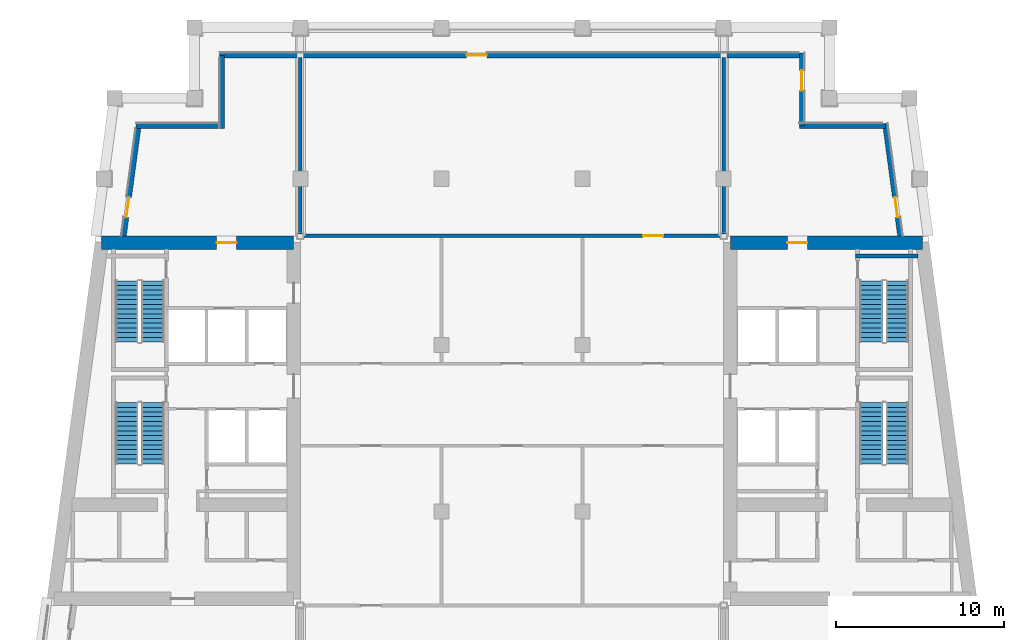
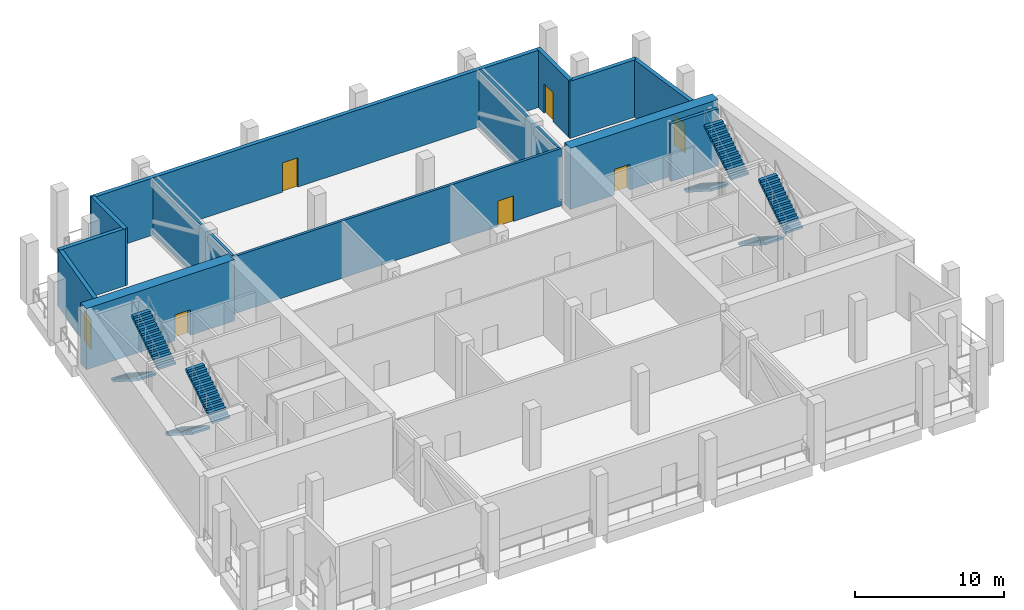
# One storey, part 7 of 11: 13 walls, 8 stair flights, 7 doors, 7 openings, 4 elements without a shape of their own.
"""IFC4 building model written with IfcOpenShell, lengths in metres."""

import ifcopenshell
import ifcopenshell.guid

model = None  # the IFC model being written
_history = None  # IfcOwnerHistory: only IFC2X3 demands one
_inside = {}  # id of a spatial element -> (the spatial element, [elements in it])
_under = {}  # id of a project, library or spatial element -> (it, [spatial elements below it])
_declared = {}  # id of a project -> (the project, [libraries it declares])
_typed = {}  # id of a type object -> (the type object, [elements of that type])
_made_of = {}  # id of a material, layer set ... -> (it, [elements and type objects made of it])


def new_model(schema):
    """Start an empty IFC model of exactly this schema.

    Asked for "IFC4X3", IfcOpenShell would pick the latest addendum, in which some entities
    have other attributes; the version numbers below select the first issue.
    IFC2X3 requires an IfcOwnerHistory on every rooted entity: one is made here for all.
    """
    global model, _history
    if schema == "IFC4X3":
        model = ifcopenshell.file(schema_version=(4, 3, 0, 0))
    else:
        model = ifcopenshell.file(schema=schema)
    _inside.clear()
    _under.clear()
    _declared.clear()
    _typed.clear()
    _made_of.clear()
    _history = None
    if model.schema == "IFC2X3":
        org = make("IfcOrganization", Name="unknown")
        user = make(
            "IfcPersonAndOrganization",
            ThePerson=make("IfcPerson", FamilyName="unknown"),
            TheOrganization=org,
        )
        app = make(
            "IfcApplication",
            ApplicationDeveloper=org,
            Version="unknown",
            ApplicationFullName="unknown",
            ApplicationIdentifier="unknown",
        )
        _history = make(
            "IfcOwnerHistory",
            OwningUser=user,
            OwningApplication=app,
            ChangeAction="ADDED",
            CreationDate=0,
        )
    return model


def make(cls, **values):
    """One entity of the class cls with the attributes given. An attribute that is None is left unset."""
    return model.create_entity(
        cls, **{name: value for name, value in values.items() if value is not None}
    )


def rooted(cls, **values):
    """An entity with a GlobalId (a new one), such as an element, a storey or a relation."""
    return make(cls, GlobalId=ifcopenshell.guid.new(), OwnerHistory=_history, **values)


def si_unit(unit_type, name, prefix=None):
    """IfcSIUnit, for example si_unit("LENGTHUNIT", "METRE", prefix="MILLI")."""
    return make("IfcSIUnit", UnitType=unit_type, Prefix=prefix, Name=name)


def assignment(units):
    """IfcUnitAssignment: the units of a project."""
    return None if units is None else make("IfcUnitAssignment", Units=units)


def point(xyz):
    """IfcCartesianPoint."""
    return None if xyz is None else make("IfcCartesianPoint", Coordinates=xyz)


def direction(xyz):
    """IfcDirection."""
    return None if xyz is None else make("IfcDirection", DirectionRatios=xyz)


def frame(location, z_axis=None, x_axis=None):
    """IfcAxis2Placement3D, a coordinate frame: its origin and axes. An axis left out is left unset."""
    return make(
        "IfcAxis2Placement3D",
        Location=point(location),
        Axis=direction(z_axis),
        RefDirection=direction(x_axis),
    )


def frame_2d(location, x_axis=None):
    """IfcAxis2Placement2D, a coordinate frame in the plane: its origin and x axis."""
    return make(
        "IfcAxis2Placement2D", Location=point(location), RefDirection=direction(x_axis)
    )


def origin():
    """The frame at (0, 0, 0) with its axes left unset."""
    return frame((0.0, 0.0, 0.0))


def place(relative_to, where):
    """IfcLocalPlacement: puts the frame where relative to a parent placement (None: the world)."""
    return make(
        "IfcLocalPlacement", PlacementRelTo=relative_to, RelativePlacement=where
    )


def context(
    kind, dimensions, precision=None, world=None, true_north=None, identifier=None
):
    """IfcGeometricRepresentationContext, for example the 3D "Model" context."""
    return make(
        "IfcGeometricRepresentationContext",
        ContextIdentifier=identifier,
        ContextType=kind,
        CoordinateSpaceDimension=dimensions,
        Precision=precision,
        WorldCoordinateSystem=world,
        TrueNorth=true_north,
    )


def subcontext(parent, identifier, kind, view, scale=None):
    """IfcGeometricRepresentationSubContext, for example "Body" below "Model"."""
    return make(
        "IfcGeometricRepresentationSubContext",
        ContextIdentifier=identifier,
        ContextType=kind,
        ParentContext=parent,
        TargetScale=scale,
        TargetView=view,
    )


def project(units=None, contexts=None):
    """IfcProject with its units and contexts."""
    return rooted(
        "IfcProject",
        Name="project",
        RepresentationContexts=contexts,
        UnitsInContext=assignment(units),
    )


def spatial(cls, under=None, at=None, **own):
    """A site, building, storey or space (cls), placed at a placement, below another one or the project."""
    s = rooted(cls, ObjectPlacement=at, **own)
    if under is not None:
        _under.setdefault(under.id(), (under, []))[1].append(s)
    return s


def polyline(points):
    """IfcPolyline through the points."""
    return make("IfcPolyline", Points=[point(p) for p in points])


def profile(cls, at=None, kind="AREA", **sizes):
    """A parametric profile (cls). Its sizes go by their IFC names, for example OverallWidth=200.0."""
    return make(cls, ProfileType=kind, Position=at, **sizes)


def rectangle(**sizes):
    """IfcRectangleProfileDef."""
    return profile("IfcRectangleProfileDef", **sizes)


def outline(outer, holes=None, kind="AREA"):
    """IfcArbitraryClosedProfileDef: a profile drawn as a closed curve; with holes, ...WithVoids."""
    if holes is None:
        return make("IfcArbitraryClosedProfileDef", ProfileType=kind, OuterCurve=outer)
    return make(
        "IfcArbitraryProfileDefWithVoids",
        ProfileType=kind,
        OuterCurve=outer,
        InnerCurves=holes,
    )


def extrude(swept, where, along, depth):
    """IfcExtrudedAreaSolid: the profile swept, set in the frame where, extruded along a direction by depth."""
    return make(
        "IfcExtrudedAreaSolid",
        SweptArea=swept,
        Position=where,
        ExtrudedDirection=direction(along),
        Depth=depth,
    )


def shape(context_of_items, identifier, shape_type, items):
    """IfcShapeRepresentation: the items that make up one representation, for example the "Body"."""
    return make(
        "IfcShapeRepresentation",
        ContextOfItems=context_of_items,
        RepresentationIdentifier=identifier,
        RepresentationType=shape_type,
        Items=items,
    )


def material(Name=None, Category=None):
    """IfcMaterial."""
    return make("IfcMaterial", Name=Name, Category=Category)


def layer(
    of_material, thickness, ventilated=None, Name=None, Category=None, Priority=None
):
    """IfcMaterialLayer: one layer of a wall or slab, of a material (None: an air gap)."""
    return make(
        "IfcMaterialLayer",
        Material=of_material,
        LayerThickness=thickness,
        IsVentilated=ventilated,
        Name=Name,
        Category=Category,
        Priority=Priority,
    )


def layer_set(layers, Name=None):
    """IfcMaterialLayerSet."""
    return make("IfcMaterialLayerSet", MaterialLayers=layers, LayerSetName=Name)


def made_of(thing, what):
    """Note that an element or type object is made of a material, layer set ...; save() writes the relation."""
    if what is not None:
        _made_of.setdefault(what.id(), (what, []))[1].append(thing)
    return thing


def type_object(cls, material=None, **own):
    """A type object (cls), such as IfcWallType, which elements share."""
    return made_of(rooted(cls, **own), material)


def element(
    cls,
    number,
    at=None,
    inside=None,
    cuts=None,
    type_object=None,
    material=None,
    context=None,
    identifier="Body",
    shape_type=None,
    held_by="IfcProductDefinitionShape",
    body=None,
    shapes=None,
    **own,
):
    """One element of the class cls, such as IfcWall. Its Tag is "e" and its number.

    at: its placement. inside: the storey or other place that contains it. cuts: it is an
    opening in that element (IfcRelVoidsElement). A single representation is given by context,
    identifier, shape_type and body (its items); several are given by shapes. held_by: the class
    of the entity that holds the representations. save() writes the other relations.
    """
    e = rooted(cls, Tag="e%d" % number, ObjectPlacement=at, **own)
    if body is not None:
        shapes = [shape(context, identifier, shape_type, body)]
    if shapes is not None:
        e.Representation = make(held_by, Representations=shapes)
    if inside is not None:
        _inside.setdefault(inside.id(), (inside, []))[1].append(e)
    if cuts is not None:
        rooted(
            "IfcRelVoidsElement", RelatingBuildingElement=cuts, RelatedOpeningElement=e
        )
    if type_object is not None:
        _typed.setdefault(type_object.id(), (type_object, []))[1].append(e)
    return made_of(e, material)


def fill(opening, filler):
    """IfcRelFillsElement: the door or window that sits in an opening."""
    return rooted(
        "IfcRelFillsElement",
        RelatingOpeningElement=opening,
        RelatedBuildingElement=filler,
    )


def aggregate(whole, parts):
    """IfcRelAggregates: a whole, such as a stair, and the parts it consists of."""
    return rooted("IfcRelAggregates", RelatingObject=whole, RelatedObjects=parts)


def save(model, path):
    """Write the relations noted so far, then the file.

    IfcRelAggregates (storeys below a building ...), IfcRelContainedInSpatialStructure (elements
    in a storey), IfcRelDefinesByType, IfcRelAssociatesMaterial and IfcRelDeclares: one each for
    every whole, place, type object, material and project.
    """
    for whole, parts in _under.values():
        aggregate(whole, parts)
    for where, things in _inside.values():
        rooted(
            "IfcRelContainedInSpatialStructure",
            RelatedElements=things,
            RelatingStructure=where,
        )
    for kind, things in _typed.values():
        rooted("IfcRelDefinesByType", RelatedObjects=things, RelatingType=kind)
    for what, things in _made_of.values():
        rooted("IfcRelAssociatesMaterial", RelatedObjects=things, RelatingMaterial=what)
    for by, libraries in _declared.values():
        rooted("IfcRelDeclares", RelatingContext=by, RelatedDefinitions=libraries)
    model.write(path)


model = new_model("IFC4")

# Units and contexts
model_context = context("Model", 3, precision=1e-05, world=origin(), true_north=direction((0.0, 1.0)))
body_context = subcontext(model_context, "Body", "Model", "MODEL_VIEW")
ifc_project = project(units=[si_unit("LENGTHUNIT", "METRE"), si_unit("AREAUNIT", "SQUARE_METRE"), si_unit("VOLUMEUNIT", "CUBIC_METRE"), si_unit("PLANEANGLEUNIT", "RADIAN"), si_unit("MASSUNIT", "GRAM", prefix="KILO")], contexts=[model_context])

# Site, building, storey
site_placement = place(None, origin())
site = spatial("IfcSite", under=ifc_project, at=site_placement, CompositionType="ELEMENT")
building_placement = place(site_placement, origin())
building = spatial("IfcBuilding", under=site, at=building_placement, Name="Candeia Pilgrim Tower and Theatre", CompositionType="ELEMENT")
storey_placement = place(building_placement, frame((0.0, 0.0, 254.0)))
storey = spatial("IfcBuildingStorey", under=building, at=storey_placement, Name="L61", CompositionType="ELEMENT", Elevation=254.0)

# Wall, opening, door
ifc_material_1 = material(Name="Concrete C50/60", Category="concrete")
ifc_layer_1 = layer(ifc_material_1, 0.800048828125)
ifc_layer_set_1 = layer_set([ifc_layer_1], Name="Core wall 800 C50/60")
wall_type_1 = type_object("IfcWallType", Name="Core wall 800 C50/60", PredefinedType="SHEAR", material=ifc_layer_set_1)
wall_1_placement = place(storey_placement, frame((88.98046875, 132.0, 0.0), z_axis=(0.0, 0.0, 1.0), x_axis=(1.0, 0.0, 0.0)))
wall_1 = element("IfcWall", 1, at=wall_1_placement, inside=storey, type_object=wall_type_1, Name="Core wall W1", PredefinedType="SHEAR", context=body_context, shape_type="SweptSolid", body=[
    extrude(rectangle(XDim=11.41943359375, YDim=0.800048828125, at=frame_2d((5.709716796875, 0.0))), origin(), (0.0, 0.0, 1.0), 5.0),
])
opening_1_placement = place(wall_1_placement, frame((6.8330078125, 0.0, 0.0)))
opening_1 = element("IfcOpeningElement", 2, at=opening_1_placement, cuts=wall_1, Name="Opening L61-D026", PredefinedType="OPENING", context=body_context, shape_type="SweptSolid", body=[
    extrude(rectangle(XDim=1.199951171875, YDim=2.10009765625, at=frame_2d((0.60009765625, 1.050048828125))), frame((0.0, 0.41015625, 0.0), z_axis=(0.0, -1.0, 0.0), x_axis=(1.0, 0.0, 0.0)), (0.0, 0.0, 1.0), 0.820068359375),
])
ifc_material_2 = material(Name="Steel fire door set", Category="steel")
door_type_1 = type_object("IfcDoorType", Name="D-1200-FD60", OperationType="NOTDEFINED", PredefinedType="DOOR", material=ifc_material_2)
door_1_placement = place(opening_1_placement, origin())
door_1 = element("IfcDoor", 3, at=door_1_placement, inside=storey, type_object=door_type_1, Name="Door L61-D026", OperationType="SINGLE_SWING_LEFT", OverallHeight=2.10009765625, OverallWidth=1.199951171875, PredefinedType="DOOR", context=body_context, shape_type="SweptSolid", body=[
    extrude(rectangle(XDim=1.199951171875, YDim=2.10009765625, at=frame_2d((0.60009765625, 1.050048828125))), frame((0.0, 0.02490234375, 0.0), z_axis=(0.0, -1.0, 0.0), x_axis=(1.0, 0.0, 0.0)), (0.0, 0.0, 1.0), 0.050048828125),
])
fill(opening_1, door_1)

wall_2_placement = place(storey_placement, frame((126.39990234375, 132.0, 0.0), z_axis=(0.0, 0.0, 1.0), x_axis=(1.0, 0.0, 0.0)))
wall_2 = element("IfcWall", 4, at=wall_2_placement, inside=storey, type_object=wall_type_1, Name="Core wall E1", PredefinedType="SHEAR", context=body_context, shape_type="SweptSolid", body=[
    extrude(rectangle(XDim=11.419677734375, YDim=0.800048828125, at=frame_2d((5.7099609375, 0.0))), origin(), (0.0, 0.0, 1.0), 5.0),
])
opening_2_placement = place(wall_2_placement, frame((3.386474609375, 0.0, 0.0)))
opening_2 = element("IfcOpeningElement", 5, at=opening_2_placement, cuts=wall_2, Name="Opening L61-D028", PredefinedType="OPENING", context=body_context, shape_type="SweptSolid", body=[
    extrude(rectangle(XDim=1.199951171875, YDim=2.10009765625, at=frame_2d((0.60009765625, 1.050048828125))), frame((0.0, 0.41015625, 0.0), z_axis=(0.0, -1.0, 0.0), x_axis=(1.0, 0.0, 0.0)), (0.0, 0.0, 1.0), 0.820068359375),
])
door_2_placement = place(opening_2_placement, origin())
door_2 = element("IfcDoor", 6, at=door_2_placement, inside=storey, type_object=door_type_1, Name="Door L61-D028", OperationType="SINGLE_SWING_LEFT", OverallHeight=2.10009765625, OverallWidth=1.199951171875, PredefinedType="DOOR", context=body_context, shape_type="SweptSolid", body=[
    extrude(rectangle(XDim=1.199951171875, YDim=2.10009765625, at=frame_2d((0.60009765625, 1.050048828125))), frame((0.0, 0.02490234375, 0.0), z_axis=(0.0, -1.0, 0.0), x_axis=(1.0, 0.0, 0.0)), (0.0, 0.0, 1.0), 0.050048828125),
])
fill(opening_2, door_2)

ifc_material_3 = material(Name="Ceramic block masonry", Category="masonry")
ifc_layer_2 = layer(ifc_material_3, 0.300048828125)
ifc_layer_set_2 = layer_set([ifc_layer_2], Name="EW1 glazing-line wall 300")
wall_type_2 = type_object("IfcWallType", Name="EW1 glazing-line wall 300", PredefinedType="SOLIDWALL", material=ifc_layer_set_2)
wall_3_placement = place(storey_placement, frame((136.50439453125, 132.39990234375, 0.0), z_axis=(0.0, 0.0, 1.0), x_axis=(-0.133399697462, 0.99106231929, 0.0)))
wall_3 = element("IfcWall", 7, at=wall_3_placement, inside=storey, type_object=wall_type_2, Name="External wall L61-3.1", PredefinedType="SOLIDWALL", context=body_context, shape_type="SweptSolid", body=[
    extrude(rectangle(XDim=6.740478515625, YDim=0.300048828125, at=frame_2d((3.3701171875, 0.0))), origin(), (0.0, 0.0, 1.0), 4.679931640625),
])
opening_3_placement = place(wall_3_placement, frame((1.115234375, 0.0, 0.0)))
opening_3 = element("IfcOpeningElement", 8, at=opening_3_placement, cuts=wall_3, Name="Opening L61-ED579", PredefinedType="OPENING", context=body_context, shape_type="SweptSolid", body=[
    extrude(rectangle(XDim=1.199951171875, YDim=2.39990234375, at=frame_2d((0.60009765625, 1.199951171875))), frame((0.0, 0.16015625, 0.0), z_axis=(0.0, -1.0, 0.0), x_axis=(1.0, 0.0, 0.0)), (0.0, 0.0, 1.0), 0.320068359375),
])
ifc_material_4 = material(Name="Aluminium framed glazed door", Category="aluminium")
door_type_2 = type_object("IfcDoorType", Name="Loggia door 1200x2400", OperationType="DOUBLE_DOOR_SINGLE_SWING", PredefinedType="DOOR", material=ifc_material_4)
door_3_placement = place(opening_3_placement, origin())
door_3 = element("IfcDoor", 9, at=door_3_placement, inside=storey, type_object=door_type_2, Name="Loggia door L61-ED579", OperationType="DOUBLE_DOOR_SINGLE_SWING", OverallHeight=2.39990234375, OverallWidth=1.199951171875, PredefinedType="DOOR", context=body_context, shape_type="SweptSolid", body=[
    extrude(rectangle(XDim=1.199951171875, YDim=2.39990234375, at=frame_2d((0.60009765625, 1.199951171875))), frame((0.0, 0.02490234375, 0.0), z_axis=(0.0, -1.0, 0.0), x_axis=(1.0, 0.0, 0.0)), (0.0, 0.0, 1.0), 0.050048828125),
])
fill(opening_3, door_3)

# Wall
wall_4_placement = place(storey_placement, frame((135.62255859375, 138.949951171875, 0.0), z_axis=(0.0, 0.0, 1.0), x_axis=(-1.0, 0.0, 0.0)))
element("IfcWall", 10, at=wall_4_placement, inside=storey, type_object=wall_type_2, Name="External wall L61-4.0", PredefinedType="SOLIDWALL", context=body_context, shape_type="SweptSolid", body=[
    extrude(rectangle(XDim=5.12255859375, YDim=0.300048828125, at=frame_2d((2.561279296875, 0.0))), origin(), (0.0, 0.0, 1.0), 4.679931640625),
])

# Wall, opening, door
wall_5_placement = place(storey_placement, frame((130.64990234375, 138.949951171875, 0.0), z_axis=(0.0, 0.0, 1.0), x_axis=(0.0, 1.0, 0.0)))
wall_5 = element("IfcWall", 11, at=wall_5_placement, inside=storey, type_object=wall_type_2, Name="External wall L61-5.0", PredefinedType="SOLIDWALL", context=body_context, shape_type="SweptSolid", body=[
    extrude(rectangle(XDim=4.35009765625, YDim=0.300048828125, at=frame_2d((2.175048828125, 0.0))), origin(), (0.0, 0.0, 1.0), 4.679931640625),
])
opening_4_placement = place(wall_5_placement, frame((2.10009765625, 0.0, 0.0)))
opening_4 = element("IfcOpeningElement", 12, at=opening_4_placement, cuts=wall_5, Name="Opening L61-ED580", PredefinedType="OPENING", context=body_context, shape_type="SweptSolid", body=[
    extrude(rectangle(XDim=1.199951171875, YDim=2.39990234375, at=frame_2d((0.60009765625, 1.199951171875))), frame((0.0, 0.16015625, 0.0), z_axis=(0.0, -1.0, 0.0), x_axis=(1.0, 0.0, 0.0)), (0.0, 0.0, 1.0), 0.320068359375),
])
door_4_placement = place(opening_4_placement, origin())
door_4 = element("IfcDoor", 13, at=door_4_placement, inside=storey, type_object=door_type_2, Name="Loggia door L61-ED580", OperationType="DOUBLE_DOOR_SINGLE_SWING", OverallHeight=2.39990234375, OverallWidth=1.199951171875, PredefinedType="DOOR", context=body_context, shape_type="SweptSolid", body=[
    extrude(rectangle(XDim=1.199951171875, YDim=2.39990234375, at=frame_2d((0.60009765625, 1.199951171875))), frame((0.0, 0.02490234375, 0.0), z_axis=(0.0, -1.0, 0.0), x_axis=(1.0, 0.0, 0.0)), (0.0, 0.0, 1.0), 0.050048828125),
])
fill(opening_4, door_4)

wall_6_placement = place(storey_placement, frame((130.64990234375, 143.14990234375, 0.0), z_axis=(0.0, 0.0, 1.0), x_axis=(-1.0, 0.0, 0.0)))
wall_6 = element("IfcWall", 14, at=wall_6_placement, inside=storey, type_object=wall_type_2, Name="External wall L61-6.0", PredefinedType="SOLIDWALL", context=body_context, shape_type="SweptSolid", body=[
    extrude(rectangle(XDim=34.64990234375, YDim=0.300048828125, at=frame_2d((17.324951171875, 0.0))), origin(), (0.0, 0.0, 1.0), 4.679931640625),
])
opening_5_placement = place(wall_6_placement, frame((18.75, 0.0, 0.0)))
opening_5 = element("IfcOpeningElement", 15, at=opening_5_placement, cuts=wall_6, Name="Opening L61-ED581", PredefinedType="OPENING", context=body_context, shape_type="SweptSolid", body=[
    extrude(rectangle(XDim=1.199951171875, YDim=2.39990234375, at=frame_2d((0.60009765625, 1.199951171875))), frame((0.0, 0.16015625, 0.0), z_axis=(0.0, -1.0, 0.0), x_axis=(1.0, 0.0, 0.0)), (0.0, 0.0, 1.0), 0.320068359375),
])
door_5_placement = place(opening_5_placement, origin())
door_5 = element("IfcDoor", 16, at=door_5_placement, inside=storey, type_object=door_type_2, Name="Loggia door L61-ED581", OperationType="DOUBLE_DOOR_SINGLE_SWING", OverallHeight=2.39990234375, OverallWidth=1.199951171875, PredefinedType="DOOR", context=body_context, shape_type="SweptSolid", body=[
    extrude(rectangle(XDim=1.199951171875, YDim=2.39990234375, at=frame_2d((0.60009765625, 1.199951171875))), frame((0.0, 0.02490234375, 0.0), z_axis=(0.0, -1.0, 0.0), x_axis=(1.0, 0.0, 0.0)), (0.0, 0.0, 1.0), 0.050048828125),
])
fill(opening_5, door_5)

# Walls
wall_7_placement = place(storey_placement, frame((96.14990234375, 143.14990234375, 0.0), z_axis=(0.0, 0.0, 1.0), x_axis=(0.0, -1.0, 0.0)))
element("IfcWall", 17, at=wall_7_placement, inside=storey, type_object=wall_type_2, Name="External wall L61-7.0", PredefinedType="SOLIDWALL", context=body_context, shape_type="SweptSolid", body=[
    extrude(rectangle(XDim=4.349853515625, YDim=0.300048828125, at=frame_2d((2.1748046875, 0.0))), origin(), (0.0, 0.0, 1.0), 4.679931640625),
])
wall_8_placement = place(storey_placement, frame((96.14990234375, 138.949951171875, 0.0), z_axis=(0.0, 0.0, 1.0), x_axis=(-1.0, 0.0, 0.0)))
element("IfcWall", 18, at=wall_8_placement, inside=storey, type_object=wall_type_2, Name="External wall L61-8.0", PredefinedType="SOLIDWALL", context=body_context, shape_type="SweptSolid", body=[
    extrude(rectangle(XDim=5.103759765625, YDim=0.300048828125, at=frame_2d((2.5517578125, 0.0))), origin(), (0.0, 0.0, 1.0), 4.679931640625),
])

# Wall, opening, door
wall_9_placement = place(storey_placement, frame((91.177490234375, 138.949951171875, 0.0), z_axis=(0.0, 0.0, 1.0), x_axis=(-0.133426664613, -0.991058689065, 0.0)))
wall_9 = element("IfcWall", 19, at=wall_9_placement, inside=storey, type_object=wall_type_2, Name="External wall L61-9.0", PredefinedType="SOLIDWALL", context=body_context, shape_type="SweptSolid", body=[
    extrude(rectangle(XDim=6.609130859375, YDim=0.300048828125, at=frame_2d((3.3046875, 0.0))), origin(), (0.0, 0.0, 1.0), 4.679931640625),
])
opening_6_placement = place(wall_9_placement, frame((4.293701171875, 0.0, 0.0)))
opening_6 = element("IfcOpeningElement", 20, at=opening_6_placement, cuts=wall_9, Name="Opening L61-ED582", PredefinedType="OPENING", context=body_context, shape_type="SweptSolid", body=[
    extrude(rectangle(XDim=1.199951171875, YDim=2.39990234375, at=frame_2d((0.60009765625, 1.199951171875))), frame((0.0, 0.16015625, 0.0), z_axis=(0.0, -1.0, 0.0), x_axis=(1.0, 0.0, 0.0)), (0.0, 0.0, 1.0), 0.320068359375),
])
door_6_placement = place(opening_6_placement, origin())
door_6 = element("IfcDoor", 21, at=door_6_placement, inside=storey, type_object=door_type_2, Name="Loggia door L61-ED582", OperationType="DOUBLE_DOOR_SINGLE_SWING", OverallHeight=2.39990234375, OverallWidth=1.199951171875, PredefinedType="DOOR", context=body_context, shape_type="SweptSolid", body=[
    extrude(rectangle(XDim=1.199951171875, YDim=2.39990234375, at=frame_2d((0.60009765625, 1.199951171875))), frame((0.0, 0.02490234375, 0.0), z_axis=(0.0, -1.0, 0.0), x_axis=(1.0, 0.0, 0.0)), (0.0, 0.0, 1.0), 0.050048828125),
])
fill(opening_6, door_6)

ifc_material_5 = material(Name="Gypsum board partition on steel studs", Category="steel")
ifc_layer_3 = layer(ifc_material_5, 0.199951171875)
ifc_layer_set_3 = layer_set([ifc_layer_3], Name="PW-200 party wall")
wall_type_3 = type_object("IfcWallType", Name="PW-200 party wall", PredefinedType="PARTITIONING", material=ifc_layer_set_3)
wall_10_placement = place(storey_placement, frame((100.699951171875, 132.39990234375, 0.0), z_axis=(0.0, 0.0, 1.0), x_axis=(1.0, 0.0, 0.0)))
wall_10 = element("IfcWall", 22, at=wall_10_placement, inside=storey, type_object=wall_type_3, Name="Party wall L61-032", PredefinedType="PARTITIONING", context=body_context, shape_type="SweptSolid", body=[
    extrude(rectangle(XDim=25.400146484375, YDim=0.199951171875, at=frame_2d((12.7001953125, 0.0))), origin(), (0.0, 0.0, 1.0), 4.679931640625),
])
opening_7_placement = place(wall_10_placement, frame((20.5, 0.0, 0.0)))
opening_7 = element("IfcOpeningElement", 23, at=opening_7_placement, cuts=wall_10, Name="Opening L61-D008", PredefinedType="OPENING", context=body_context, shape_type="SweptSolid", body=[
    extrude(rectangle(XDim=1.199951171875, YDim=2.10009765625, at=frame_2d((0.60009765625, 1.050048828125))), frame((0.0, 0.10986328125, 0.0), z_axis=(0.0, -1.0, 0.0), x_axis=(1.0, 0.0, 0.0)), (0.0, 0.0, 1.0), 0.219970703125),
])
door_7_placement = place(opening_7_placement, origin())
door_7 = element("IfcDoor", 24, at=door_7_placement, inside=storey, type_object=door_type_1, Name="Door L61-D008", OperationType="SINGLE_SWING_LEFT", OverallHeight=2.10009765625, OverallWidth=1.199951171875, PredefinedType="DOOR", context=body_context, shape_type="SweptSolid", body=[
    extrude(rectangle(XDim=1.199951171875, YDim=2.10009765625, at=frame_2d((0.60009765625, 1.050048828125))), frame((0.0, 0.02490234375, 0.0), z_axis=(0.0, -1.0, 0.0), x_axis=(1.0, 0.0, 0.0)), (0.0, 0.0, 1.0), 0.050048828125),
])
fill(opening_7, door_7)

# Walls
for number, where, z_axis, x_axis, name in (
    (25, (100.800048828125, 132.5, 0.0), (0.0, 0.0, 1.0), (0.0, 1.0, 0.0), "Party wall L61-051"),
    (26, (126.0, 132.5, 0.0), (0.0, 0.0, 1.0), (0.0, 1.0, 0.0), "Party wall L61-057"),
):
    element("IfcWall", number, at=place(storey_placement, frame(where, z_axis=z_axis, x_axis=x_axis)), inside=storey, type_object=wall_type_3, Name=name, PredefinedType="PARTITIONING", context=body_context, shape_type="SweptSolid", body=[
        extrude(rectangle(XDim=10.510009765625, YDim=0.199951171875, at=frame_2d((5.2548828125, 0.0))), origin(), (0.0, 0.0, 1.0), 4.679931640625),
    ])
ifc_material_6 = material(Name="Concrete C40/50", Category="concrete")
ifc_layer_4 = layer(ifc_material_6, 0.25)
ifc_layer_set_4 = layer_set([ifc_layer_4], Name="SW-250 stair wall")
wall_type_4 = type_object("IfcWallType", Name="SW-250 stair wall", PredefinedType="PARTITIONING", material=ifc_layer_set_4)
wall_11_placement = place(storey_placement, frame((133.847900390625, 131.199951171875, 0.0), z_axis=(0.0, 0.0, 1.0), x_axis=(1.0, 0.0, 0.0)))
element("IfcWall", 27, at=wall_11_placement, inside=storey, type_object=wall_type_4, Name="Stair wall L61-031", PredefinedType="PARTITIONING", context=body_context, shape_type="SweptSolid", body=[
    extrude(rectangle(XDim=3.705810546875, YDim=0.25, at=frame_2d((1.85302734375, 0.0))), origin(), (0.0, 0.0, 1.0), 4.679931640625),
])

# Stair, stair flights
stair_type = type_object("IfcStairType", Name="ST-TWR dog-leg escape stair", PredefinedType="HALF_TURN_STAIR", material=ifc_material_6)
stair_1_placement = place(storey_placement, origin())
stair_1 = element("IfcStair", 28, at=stair_1_placement, inside=storey, type_object=stair_type, Name="L61 Escape stair ST1", PredefinedType="HALF_TURN_STAIR")
stair_flight_type = type_object("IfcStairFlightType", Name="SFL-RC stair flight", PredefinedType="STRAIGHT", material=ifc_material_6)
stair_flight_1_placement = place(storey_placement, frame((90.47705078125, 122.47509765625, 0.0), z_axis=(0.0, 0.0, 1.0), x_axis=(0.0, -1.0, 0.0)))
stair_flight_1 = element("IfcStairFlight", 29, at=stair_flight_1_placement, type_object=stair_flight_type, Name="ST1 flight 1", NumberOfRisers=14, NumberOfTreads=13, PredefinedType="STRAIGHT", RiserHeight=0.178571429, TreadLength=0.28, context=body_context, shape_type="SweptSolid", body=[
    extrude(outline(polyline([(0.0, 0.0), (0.0, 0.178466796875), (0.280029296875, 0.178466796875), (0.280029296875, 0.357177734375), (0.56005859375, 0.357177734375), (0.56005859375, 0.53564453125), (0.840087890625, 0.53564453125), (0.840087890625, 0.71435546875), (1.1201171875, 0.71435546875), (1.1201171875, 0.892822265625), (1.39990234375, 0.892822265625), (1.39990234375, 1.071533203125), (1.679931640625, 1.071533203125), (1.679931640625, 1.25), (1.9599609375, 1.25), (1.9599609375, 1.428466796875), (2.239990234375, 1.428466796875), (2.239990234375, 1.607177734375), (2.52001953125, 1.607177734375), (2.52001953125, 1.78564453125), (2.800048828125, 1.78564453125), (2.800048828125, 1.96435546875), (3.080078125, 1.96435546875), (3.080078125, 2.142822265625), (3.360107421875, 2.142822265625), (3.360107421875, 2.321533203125), (3.639892578125, 2.321533203125), (3.639892578125, 2.5), (3.639892578125, 2.1435546875), (0.27880859375, 0.0), (0.0, 0.0)])), frame((0.0, 0.675048828125, 0.0), z_axis=(0.0, -1.0, 0.0), x_axis=(1.0, 0.0, 0.0)), (0.0, 0.0, 1.0), 1.35009765625),
])
stair_flight_2_placement = place(storey_placement, frame((92.027099609375, 118.8349609375, 2.5), z_axis=(0.0, 0.0, 1.0), x_axis=(0.0, 1.0, 0.0)))
stair_flight_2 = element("IfcStairFlight", 30, at=stair_flight_2_placement, type_object=stair_flight_type, Name="ST1 flight 2", NumberOfRisers=14, NumberOfTreads=13, PredefinedType="STRAIGHT", RiserHeight=0.178571429, TreadLength=0.28, context=body_context, shape_type="SweptSolid", body=[
    extrude(outline(polyline([(0.0, 0.0), (0.0, 0.178466796875), (0.280029296875, 0.178466796875), (0.280029296875, 0.357177734375), (0.56005859375, 0.357177734375), (0.56005859375, 0.53564453125), (0.840087890625, 0.53564453125), (0.840087890625, 0.71435546875), (1.1201171875, 0.71435546875), (1.1201171875, 0.892822265625), (1.39990234375, 0.892822265625), (1.39990234375, 1.071533203125), (1.679931640625, 1.071533203125), (1.679931640625, 1.25), (1.9599609375, 1.25), (1.9599609375, 1.428466796875), (2.239990234375, 1.428466796875), (2.239990234375, 1.607177734375), (2.52001953125, 1.607177734375), (2.52001953125, 1.78564453125), (2.800048828125, 1.78564453125), (2.800048828125, 1.96435546875), (3.080078125, 1.96435546875), (3.080078125, 2.142822265625), (3.360107421875, 2.142822265625), (3.360107421875, 2.321533203125), (3.639892578125, 2.321533203125), (3.639892578125, 2.5), (3.639892578125, 2.1435546875), (0.27880859375, 0.0), (0.0, 0.0)])), frame((0.0, 0.675048828125, 0.0), z_axis=(0.0, -1.0, 0.0), x_axis=(1.0, 0.0, 0.0)), (0.0, 0.0, 1.0), 1.35009765625),
])
aggregate(stair_1, [stair_flight_1, stair_flight_2])

stair_2_placement = place(storey_placement, origin())
stair_2 = element("IfcStair", 31, at=stair_2_placement, inside=storey, type_object=stair_type, Name="L61 Escape stair ST2", PredefinedType="HALF_TURN_STAIR")
stair_flight_3_placement = place(storey_placement, frame((90.47705078125, 129.72509765625, 0.0), z_axis=(0.0, 0.0, 1.0), x_axis=(0.0, -1.0, 0.0)))
stair_flight_3 = element("IfcStairFlight", 32, at=stair_flight_3_placement, type_object=stair_flight_type, Name="ST2 flight 1", NumberOfRisers=14, NumberOfTreads=13, PredefinedType="STRAIGHT", RiserHeight=0.178571429, TreadLength=0.28, context=body_context, shape_type="SweptSolid", body=[
    extrude(outline(polyline([(0.0, 0.0), (0.0, 0.178466796875), (0.280029296875, 0.178466796875), (0.280029296875, 0.357177734375), (0.56005859375, 0.357177734375), (0.56005859375, 0.53564453125), (0.840087890625, 0.53564453125), (0.840087890625, 0.71435546875), (1.1201171875, 0.71435546875), (1.1201171875, 0.892822265625), (1.39990234375, 0.892822265625), (1.39990234375, 1.071533203125), (1.679931640625, 1.071533203125), (1.679931640625, 1.25), (1.9599609375, 1.25), (1.9599609375, 1.428466796875), (2.239990234375, 1.428466796875), (2.239990234375, 1.607177734375), (2.52001953125, 1.607177734375), (2.52001953125, 1.78564453125), (2.800048828125, 1.78564453125), (2.800048828125, 1.96435546875), (3.080078125, 1.96435546875), (3.080078125, 2.142822265625), (3.360107421875, 2.142822265625), (3.360107421875, 2.321533203125), (3.639892578125, 2.321533203125), (3.639892578125, 2.5), (3.639892578125, 2.1435546875), (0.27880859375, 0.0), (0.0, 0.0)])), frame((0.0, 0.675048828125, 0.0), z_axis=(0.0, -1.0, 0.0), x_axis=(1.0, 0.0, 0.0)), (0.0, 0.0, 1.0), 1.35009765625),
])
stair_flight_4_placement = place(storey_placement, frame((92.027099609375, 126.0849609375, 2.5), z_axis=(0.0, 0.0, 1.0), x_axis=(0.0, 1.0, 0.0)))
stair_flight_4 = element("IfcStairFlight", 33, at=stair_flight_4_placement, type_object=stair_flight_type, Name="ST2 flight 2", NumberOfRisers=14, NumberOfTreads=13, PredefinedType="STRAIGHT", RiserHeight=0.178571429, TreadLength=0.28, context=body_context, shape_type="SweptSolid", body=[
    extrude(outline(polyline([(0.0, 0.0), (0.0, 0.178466796875), (0.280029296875, 0.178466796875), (0.280029296875, 0.357177734375), (0.56005859375, 0.357177734375), (0.56005859375, 0.53564453125), (0.840087890625, 0.53564453125), (0.840087890625, 0.71435546875), (1.1201171875, 0.71435546875), (1.1201171875, 0.892822265625), (1.39990234375, 0.892822265625), (1.39990234375, 1.071533203125), (1.679931640625, 1.071533203125), (1.679931640625, 1.25), (1.9599609375, 1.25), (1.9599609375, 1.428466796875), (2.239990234375, 1.428466796875), (2.239990234375, 1.607177734375), (2.52001953125, 1.607177734375), (2.52001953125, 1.78564453125), (2.800048828125, 1.78564453125), (2.800048828125, 1.96435546875), (3.080078125, 1.96435546875), (3.080078125, 2.142822265625), (3.360107421875, 2.142822265625), (3.360107421875, 2.321533203125), (3.639892578125, 2.321533203125), (3.639892578125, 2.5), (3.639892578125, 2.1435546875), (0.27880859375, 0.0), (0.0, 0.0)])), frame((0.0, 0.675048828125, 0.0), z_axis=(0.0, -1.0, 0.0), x_axis=(1.0, 0.0, 0.0)), (0.0, 0.0, 1.0), 1.35009765625),
])
aggregate(stair_2, [stair_flight_3, stair_flight_4])

stair_3_placement = place(storey_placement, origin())
stair_3 = element("IfcStair", 34, at=stair_3_placement, inside=storey, type_object=stair_type, Name="L61 Escape stair ST3", PredefinedType="HALF_TURN_STAIR")
stair_flight_5_placement = place(storey_placement, frame((134.77294921875, 122.47509765625, 0.0), z_axis=(0.0, 0.0, 1.0), x_axis=(0.0, -1.0, 0.0)))
stair_flight_5 = element("IfcStairFlight", 35, at=stair_flight_5_placement, type_object=stair_flight_type, Name="ST3 flight 1", NumberOfRisers=14, NumberOfTreads=13, PredefinedType="STRAIGHT", RiserHeight=0.178571429, TreadLength=0.28, context=body_context, shape_type="SweptSolid", body=[
    extrude(outline(polyline([(0.0, 0.0), (0.0, 0.178466796875), (0.280029296875, 0.178466796875), (0.280029296875, 0.357177734375), (0.56005859375, 0.357177734375), (0.56005859375, 0.53564453125), (0.840087890625, 0.53564453125), (0.840087890625, 0.71435546875), (1.1201171875, 0.71435546875), (1.1201171875, 0.892822265625), (1.39990234375, 0.892822265625), (1.39990234375, 1.071533203125), (1.679931640625, 1.071533203125), (1.679931640625, 1.25), (1.9599609375, 1.25), (1.9599609375, 1.428466796875), (2.239990234375, 1.428466796875), (2.239990234375, 1.607177734375), (2.52001953125, 1.607177734375), (2.52001953125, 1.78564453125), (2.800048828125, 1.78564453125), (2.800048828125, 1.96435546875), (3.080078125, 1.96435546875), (3.080078125, 2.142822265625), (3.360107421875, 2.142822265625), (3.360107421875, 2.321533203125), (3.639892578125, 2.321533203125), (3.639892578125, 2.5), (3.639892578125, 2.1435546875), (0.27880859375, 0.0), (0.0, 0.0)])), frame((0.0, 0.675048828125, 0.0), z_axis=(0.0, -1.0, 0.0), x_axis=(1.0, 0.0, 0.0)), (0.0, 0.0, 1.0), 1.35009765625),
])
stair_flight_6_placement = place(storey_placement, frame((136.322998046875, 118.8349609375, 2.5), z_axis=(0.0, 0.0, 1.0), x_axis=(0.0, 1.0, 0.0)))
stair_flight_6 = element("IfcStairFlight", 36, at=stair_flight_6_placement, type_object=stair_flight_type, Name="ST3 flight 2", NumberOfRisers=14, NumberOfTreads=13, PredefinedType="STRAIGHT", RiserHeight=0.178571429, TreadLength=0.28, context=body_context, shape_type="SweptSolid", body=[
    extrude(outline(polyline([(0.0, 0.0), (0.0, 0.178466796875), (0.280029296875, 0.178466796875), (0.280029296875, 0.357177734375), (0.56005859375, 0.357177734375), (0.56005859375, 0.53564453125), (0.840087890625, 0.53564453125), (0.840087890625, 0.71435546875), (1.1201171875, 0.71435546875), (1.1201171875, 0.892822265625), (1.39990234375, 0.892822265625), (1.39990234375, 1.071533203125), (1.679931640625, 1.071533203125), (1.679931640625, 1.25), (1.9599609375, 1.25), (1.9599609375, 1.428466796875), (2.239990234375, 1.428466796875), (2.239990234375, 1.607177734375), (2.52001953125, 1.607177734375), (2.52001953125, 1.78564453125), (2.800048828125, 1.78564453125), (2.800048828125, 1.96435546875), (3.080078125, 1.96435546875), (3.080078125, 2.142822265625), (3.360107421875, 2.142822265625), (3.360107421875, 2.321533203125), (3.639892578125, 2.321533203125), (3.639892578125, 2.5), (3.639892578125, 2.1435546875), (0.27880859375, 0.0), (0.0, 0.0)])), frame((0.0, 0.675048828125, 0.0), z_axis=(0.0, -1.0, 0.0), x_axis=(1.0, 0.0, 0.0)), (0.0, 0.0, 1.0), 1.35009765625),
])
aggregate(stair_3, [stair_flight_5, stair_flight_6])

stair_4_placement = place(storey_placement, origin())
stair_4 = element("IfcStair", 37, at=stair_4_placement, inside=storey, type_object=stair_type, Name="L61 Escape stair ST4", PredefinedType="HALF_TURN_STAIR")
stair_flight_7_placement = place(storey_placement, frame((134.77294921875, 129.72509765625, 0.0), z_axis=(0.0, 0.0, 1.0), x_axis=(0.0, -1.0, 0.0)))
stair_flight_7 = element("IfcStairFlight", 38, at=stair_flight_7_placement, type_object=stair_flight_type, Name="ST4 flight 1", NumberOfRisers=14, NumberOfTreads=13, PredefinedType="STRAIGHT", RiserHeight=0.178571429, TreadLength=0.28, context=body_context, shape_type="SweptSolid", body=[
    extrude(outline(polyline([(0.0, 0.0), (0.0, 0.178466796875), (0.280029296875, 0.178466796875), (0.280029296875, 0.357177734375), (0.56005859375, 0.357177734375), (0.56005859375, 0.53564453125), (0.840087890625, 0.53564453125), (0.840087890625, 0.71435546875), (1.1201171875, 0.71435546875), (1.1201171875, 0.892822265625), (1.39990234375, 0.892822265625), (1.39990234375, 1.071533203125), (1.679931640625, 1.071533203125), (1.679931640625, 1.25), (1.9599609375, 1.25), (1.9599609375, 1.428466796875), (2.239990234375, 1.428466796875), (2.239990234375, 1.607177734375), (2.52001953125, 1.607177734375), (2.52001953125, 1.78564453125), (2.800048828125, 1.78564453125), (2.800048828125, 1.96435546875), (3.080078125, 1.96435546875), (3.080078125, 2.142822265625), (3.360107421875, 2.142822265625), (3.360107421875, 2.321533203125), (3.639892578125, 2.321533203125), (3.639892578125, 2.5), (3.639892578125, 2.1435546875), (0.27880859375, 0.0), (0.0, 0.0)])), frame((0.0, 0.675048828125, 0.0), z_axis=(0.0, -1.0, 0.0), x_axis=(1.0, 0.0, 0.0)), (0.0, 0.0, 1.0), 1.35009765625),
])
stair_flight_8_placement = place(storey_placement, frame((136.322998046875, 126.0849609375, 2.5), z_axis=(0.0, 0.0, 1.0), x_axis=(0.0, 1.0, 0.0)))
stair_flight_8 = element("IfcStairFlight", 39, at=stair_flight_8_placement, type_object=stair_flight_type, Name="ST4 flight 2", NumberOfRisers=14, NumberOfTreads=13, PredefinedType="STRAIGHT", RiserHeight=0.178571429, TreadLength=0.28, context=body_context, shape_type="SweptSolid", body=[
    extrude(outline(polyline([(0.0, 0.0), (0.0, 0.178466796875), (0.280029296875, 0.178466796875), (0.280029296875, 0.357177734375), (0.56005859375, 0.357177734375), (0.56005859375, 0.53564453125), (0.840087890625, 0.53564453125), (0.840087890625, 0.71435546875), (1.1201171875, 0.71435546875), (1.1201171875, 0.892822265625), (1.39990234375, 0.892822265625), (1.39990234375, 1.071533203125), (1.679931640625, 1.071533203125), (1.679931640625, 1.25), (1.9599609375, 1.25), (1.9599609375, 1.428466796875), (2.239990234375, 1.428466796875), (2.239990234375, 1.607177734375), (2.52001953125, 1.607177734375), (2.52001953125, 1.78564453125), (2.800048828125, 1.78564453125), (2.800048828125, 1.96435546875), (3.080078125, 1.96435546875), (3.080078125, 2.142822265625), (3.360107421875, 2.142822265625), (3.360107421875, 2.321533203125), (3.639892578125, 2.321533203125), (3.639892578125, 2.5), (3.639892578125, 2.1435546875), (0.27880859375, 0.0), (0.0, 0.0)])), frame((0.0, 0.675048828125, 0.0), z_axis=(0.0, -1.0, 0.0), x_axis=(1.0, 0.0, 0.0)), (0.0, 0.0, 1.0), 1.35009765625),
])
aggregate(stair_4, [stair_flight_7, stair_flight_8])

save(model, "model.ifc")
